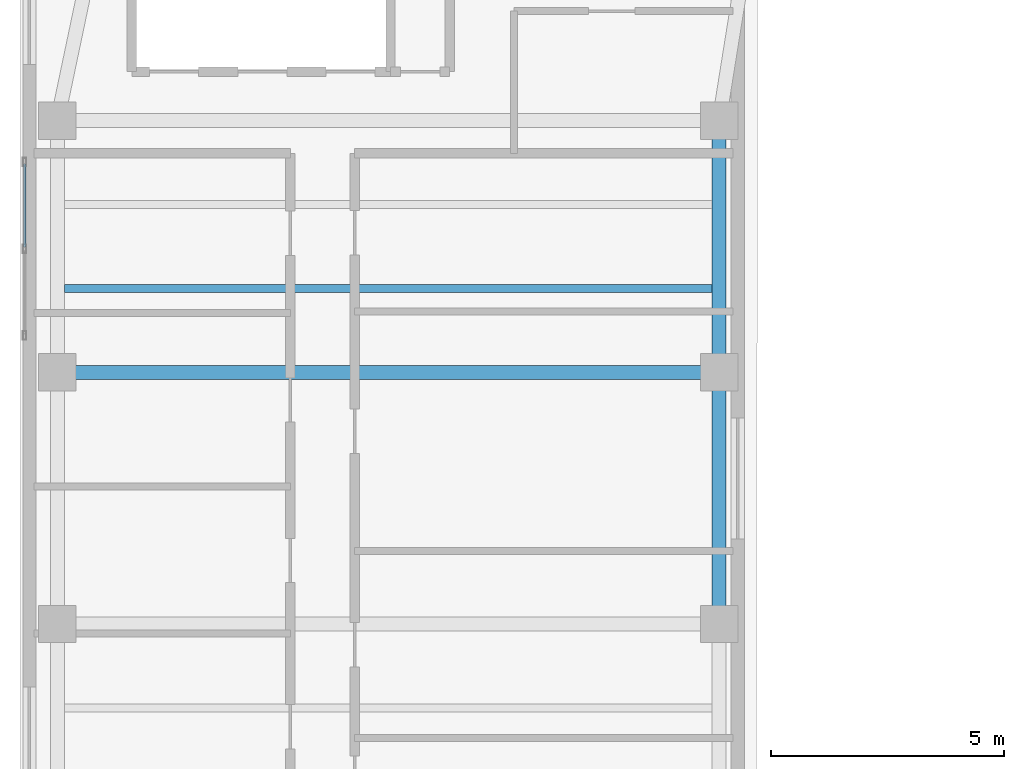
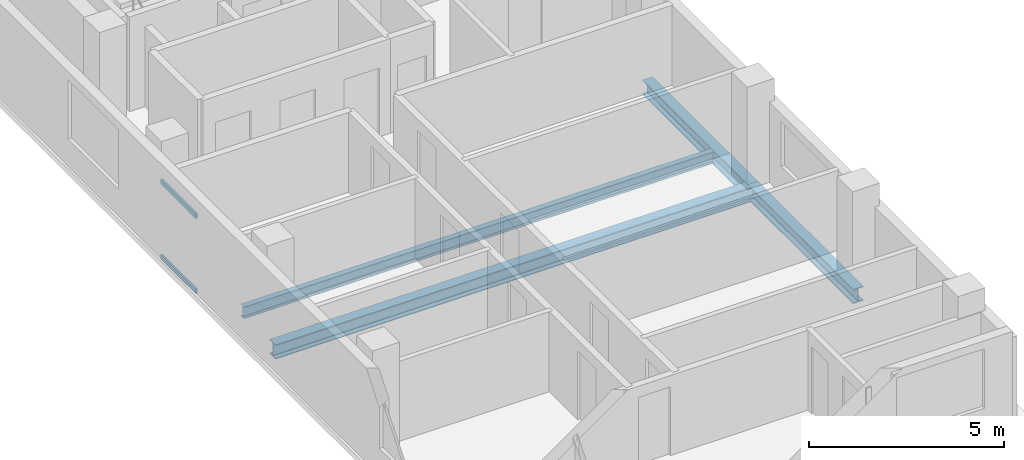
# One storey, part 4 of 9: 4 beams, 2 members, 1 element without a shape of its own.
"""IFC4 building model written with IfcOpenShell, lengths in metres."""

from ifc_helpers import new_model, si_unit, direction, frame, origin, origin_2d, place, context, subcontext, project, spatial, hollow_rectangle, i_section, extrude, material, material_profile, profile_set, type_object, element, aggregate, save


model = new_model("IFC4")

# Units and contexts
model_context = context("Model", 3, precision=1e-05, world=origin(), true_north=direction((0.0, 1.0)))
body_context = subcontext(model_context, "Body", "Model", "MODEL_VIEW")
ifc_project = project(units=[si_unit("LENGTHUNIT", "METRE"), si_unit("AREAUNIT", "SQUARE_METRE"), si_unit("VOLUMEUNIT", "CUBIC_METRE"), si_unit("PLANEANGLEUNIT", "RADIAN"), si_unit("MASSUNIT", "GRAM", prefix="KILO")], contexts=[model_context])

# Site, building, storey
site_placement = place(None, origin())
site = spatial("IfcSite", under=ifc_project, at=site_placement, CompositionType="ELEMENT")
building_placement = place(site_placement, origin())
building = spatial("IfcBuilding", under=site, at=building_placement, Name="Kuzgunbayir Cultural Tower", CompositionType="ELEMENT")
storey_placement = place(building_placement, frame((0.0, 0.0, 247.199951171875)))
storey = spatial("IfcBuildingStorey", under=building, at=storey_placement, Name="L73", CompositionType="ELEMENT", Elevation=247.199951171875)

# Beams
ifc_material_1 = material(Name="Steel S355J2", Category="steel")
ifc_material_profile_1 = material_profile(ifc_material_1, i_section(OverallWidth=0.300048828125, OverallDepth=0.449951171875, WebThickness=0.013916015625, FlangeThickness=0.02587890625, FilletRadius=0.027099609375, at=origin_2d()), Name="HEB 450")
ifc_profile_set_1 = profile_set([ifc_material_profile_1], Name="Steel S355J2")
beam_type_1 = type_object("IfcBeamType", Name="BM-EXT-HEB450", PredefinedType="BEAM", material=ifc_profile_set_1)
beam_1_placement = place(storey_placement, frame((19.60009765625, 18.0, -0.39990234375), z_axis=(0.0, 1.0, 0.0), x_axis=(-1.0, 0.0, 0.0)))
element("IfcBeam", 1, at=beam_1_placement, inside=storey, type_object=beam_type_1, Name="L73 Wing A East Girder 2", PredefinedType="BEAM", context=body_context, shape_type="SweptSolid", body=[
    extrude(i_section(OverallWidth=0.300048828125, OverallDepth=0.449951171875, WebThickness=0.013916015625, FlangeThickness=0.02587890625, FilletRadius=0.027099609375, at=origin_2d()), origin(), (0.0, 0.0, 1.0), 5.39990234375),
])
beam_2_placement = place(storey_placement, frame((19.60009765625, 23.39990234375, -0.39990234375), z_axis=(0.0, 1.0, 0.0), x_axis=(-1.0, 0.0, 0.0)))
element("IfcBeam", 2, at=beam_2_placement, inside=storey, type_object=beam_type_1, Name="L73 Wing A East Girder 3", PredefinedType="BEAM", context=body_context, shape_type="SweptSolid", body=[
    extrude(i_section(OverallWidth=0.300048828125, OverallDepth=0.449951171875, WebThickness=0.013916015625, FlangeThickness=0.02587890625, FilletRadius=0.027099609375, at=origin_2d()), origin(), (0.0, 0.0, 1.0), 5.400146484375),
])
ifc_material_profile_2 = material_profile(ifc_material_1, i_section(OverallWidth=0.300048828125, OverallDepth=0.449951171875, WebThickness=0.013916015625, FlangeThickness=0.02587890625, FilletRadius=0.027099609375, at=origin_2d()), Name="HEB 450")
ifc_profile_set_2 = profile_set([ifc_material_profile_2], Name="Steel S355J2")
beam_type_2 = type_object("IfcBeamType", Name="BM-GIR-HEB450", PredefinedType="BEAM", material=ifc_profile_set_2)
beam_3_placement = place(storey_placement, frame((5.39990234375, 23.39990234375, -0.39990234375), z_axis=(1.0, 0.0, 0.0), x_axis=(0.0, 1.0, 0.0)))
element("IfcBeam", 3, at=beam_3_placement, inside=storey, type_object=beam_type_2, Name="L73 Wing A Transverse Girder 3", PredefinedType="BEAM", context=body_context, shape_type="SweptSolid", body=[
    extrude(i_section(OverallWidth=0.300048828125, OverallDepth=0.449951171875, WebThickness=0.013916015625, FlangeThickness=0.02587890625, FilletRadius=0.027099609375, at=origin_2d()), origin(), (0.0, 0.0, 1.0), 14.2001953125),
])
ifc_material_profile_3 = material_profile(ifc_material_1, i_section(OverallWidth=0.169921875, OverallDepth=0.360107421875, WebThickness=0.008056640625, FlangeThickness=0.0126953125, FilletRadius=0.01806640625, at=origin_2d()), Name="IPE 360")
ifc_profile_set_3 = profile_set([ifc_material_profile_3], Name="Steel S355J2")
beam_type_3 = type_object("IfcBeamType", Name="BM-JST-IPE360", PredefinedType="JOIST", material=ifc_profile_set_3)
beam_4_placement = place(storey_placement, frame((5.550048828125, 25.199951171875, -0.35986328125), z_axis=(1.0, 0.0, 0.0), x_axis=(0.0, 1.0, 0.0)))
element("IfcBeam", 4, at=beam_4_placement, inside=storey, type_object=beam_type_3, Name="L73 Wing A Secondary Joist 5", PredefinedType="JOIST", context=body_context, shape_type="SweptSolid", body=[
    extrude(i_section(OverallWidth=0.169921875, OverallDepth=0.360107421875, WebThickness=0.008056640625, FlangeThickness=0.0126953125, FilletRadius=0.01806640625, at=origin_2d()), origin(), (0.0, 0.0, 1.0), 13.89990234375),
])

# Curtain wall, members
ifc_material_2 = material(Name="Anodised Aluminium Framing", Category="aluminium")
curtain_wall_type = type_object("IfcCurtainWallType", Name="CW06-OBSERVATORY", PredefinedType="NOTDEFINED", material=ifc_material_2)
curtain_wall_placement = place(storey_placement, origin())
curtain_wall = element("IfcCurtainWall", 5, at=curtain_wall_placement, inside=storey, type_object=curtain_wall_type, Name="L73 Crown Observatory West Curtain Wall", PredefinedType="NOTDEFINED")
ifc_material_profile_4 = material_profile(ifc_material_2, hollow_rectangle(XDim=0.06005859375, YDim=0.14990234375, WallThickness=0.00390625, at=origin_2d()), Name="RHS 150x60x4")
ifc_profile_set_4 = profile_set([ifc_material_profile_4], Name="Anodised Aluminium Framing")
member_type = type_object("IfcMemberType", Name="MEM-CW-TRANSOM-150", PredefinedType="USERDEFINED", material=ifc_profile_set_4)
member_1_placement = place(storey_placement, frame((4.699951171875, 26.08740234375, 0.030029296875), z_axis=(0.0, 1.0, 0.0), x_axis=(-1.0, 0.0, 0.0)))
member_1 = element("IfcMember", 6, at=member_1_placement, type_object=member_type, Name="CW06 transom 2.1", ObjectType="TRANSOM", PredefinedType="USERDEFINED", context=body_context, shape_type="SweptSolid", body=[
    extrude(hollow_rectangle(XDim=0.06005859375, YDim=0.14990234375, WallThickness=0.00390625, at=origin_2d()), origin(), (0.0, 0.0, 1.0), 1.78759765625),
])
member_2_placement = place(storey_placement, frame((4.699951171875, 26.08740234375, 2.380126953125), z_axis=(0.0, 1.0, 0.0), x_axis=(-1.0, 0.0, 0.0)))
member_2 = element("IfcMember", 7, at=member_2_placement, type_object=member_type, Name="CW06 transom 2.2", ObjectType="TRANSOM", PredefinedType="USERDEFINED", context=body_context, shape_type="SweptSolid", body=[
    extrude(hollow_rectangle(XDim=0.06005859375, YDim=0.14990234375, WallThickness=0.00390625, at=origin_2d()), origin(), (0.0, 0.0, 1.0), 1.78759765625),
])
aggregate(curtain_wall, [member_1, member_2])

save(model, "model.ifc")
